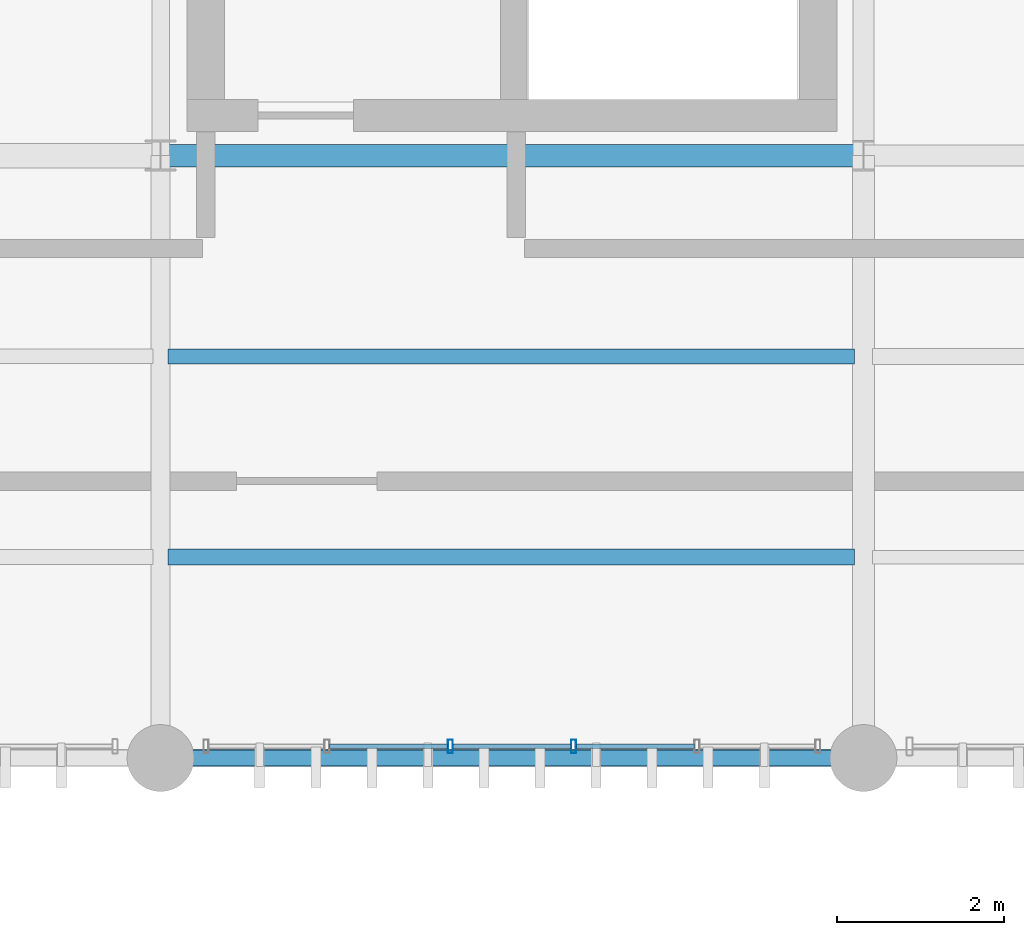
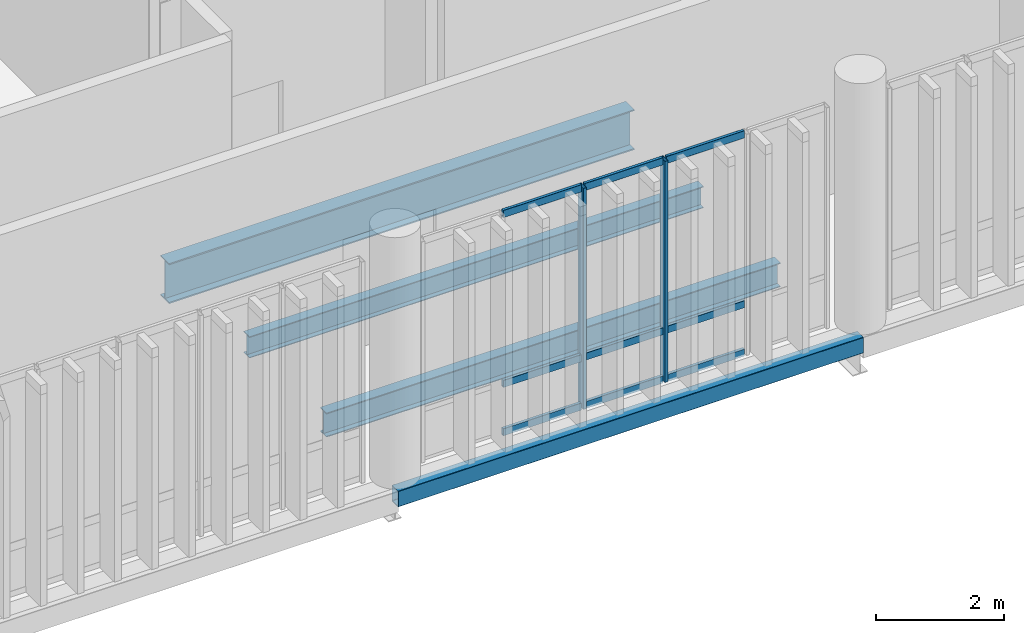
# One storey, part 38 of 94: 11 members, 4 beams, 1 element without a shape of its own.
"""IFC4 building model written with IfcOpenShell, lengths in metres."""

import ifcopenshell
import ifcopenshell.guid

model = None  # the IFC model being written
_history = None  # IfcOwnerHistory: only IFC2X3 demands one
_inside = {}  # id of a spatial element -> (the spatial element, [elements in it])
_under = {}  # id of a project, library or spatial element -> (it, [spatial elements below it])
_declared = {}  # id of a project -> (the project, [libraries it declares])
_typed = {}  # id of a type object -> (the type object, [elements of that type])
_made_of = {}  # id of a material, layer set ... -> (it, [elements and type objects made of it])


def new_model(schema):
    """Start an empty IFC model of exactly this schema.

    Asked for "IFC4X3", IfcOpenShell would pick the latest addendum, in which some entities
    have other attributes; the version numbers below select the first issue.
    IFC2X3 requires an IfcOwnerHistory on every rooted entity: one is made here for all.
    """
    global model, _history
    if schema == "IFC4X3":
        model = ifcopenshell.file(schema_version=(4, 3, 0, 0))
    else:
        model = ifcopenshell.file(schema=schema)
    _inside.clear()
    _under.clear()
    _declared.clear()
    _typed.clear()
    _made_of.clear()
    _history = None
    if model.schema == "IFC2X3":
        org = make("IfcOrganization", Name="unknown")
        user = make(
            "IfcPersonAndOrganization",
            ThePerson=make("IfcPerson", FamilyName="unknown"),
            TheOrganization=org,
        )
        app = make(
            "IfcApplication",
            ApplicationDeveloper=org,
            Version="unknown",
            ApplicationFullName="unknown",
            ApplicationIdentifier="unknown",
        )
        _history = make(
            "IfcOwnerHistory",
            OwningUser=user,
            OwningApplication=app,
            ChangeAction="ADDED",
            CreationDate=0,
        )
    return model


def make(cls, **values):
    """One entity of the class cls with the attributes given. An attribute that is None is left unset."""
    return model.create_entity(
        cls, **{name: value for name, value in values.items() if value is not None}
    )


def rooted(cls, **values):
    """An entity with a GlobalId (a new one), such as an element, a storey or a relation."""
    return make(cls, GlobalId=ifcopenshell.guid.new(), OwnerHistory=_history, **values)


def si_unit(unit_type, name, prefix=None):
    """IfcSIUnit, for example si_unit("LENGTHUNIT", "METRE", prefix="MILLI")."""
    return make("IfcSIUnit", UnitType=unit_type, Prefix=prefix, Name=name)


def assignment(units):
    """IfcUnitAssignment: the units of a project."""
    return None if units is None else make("IfcUnitAssignment", Units=units)


def point(xyz):
    """IfcCartesianPoint."""
    return None if xyz is None else make("IfcCartesianPoint", Coordinates=xyz)


def direction(xyz):
    """IfcDirection."""
    return None if xyz is None else make("IfcDirection", DirectionRatios=xyz)


def frame(location, z_axis=None, x_axis=None):
    """IfcAxis2Placement3D, a coordinate frame: its origin and axes. An axis left out is left unset."""
    return make(
        "IfcAxis2Placement3D",
        Location=point(location),
        Axis=direction(z_axis),
        RefDirection=direction(x_axis),
    )


def frame_2d(location, x_axis=None):
    """IfcAxis2Placement2D, a coordinate frame in the plane: its origin and x axis."""
    return make(
        "IfcAxis2Placement2D", Location=point(location), RefDirection=direction(x_axis)
    )


def origin_with_axes():
    """The frame at (0, 0, 0) with the z axis (0, 0, 1) and the x axis (1, 0, 0) written out."""
    return frame((0.0, 0.0, 0.0), z_axis=(0.0, 0.0, 1.0), x_axis=(1.0, 0.0, 0.0))


def origin_2d_with_axis():
    """The frame at (0, 0) in the plane with the x axis (1, 0) written out."""
    return frame_2d((0.0, 0.0), x_axis=(1.0, 0.0))


def place(relative_to, where):
    """IfcLocalPlacement: puts the frame where relative to a parent placement (None: the world)."""
    return make(
        "IfcLocalPlacement", PlacementRelTo=relative_to, RelativePlacement=where
    )


def context(
    kind, dimensions, precision=None, world=None, true_north=None, identifier=None
):
    """IfcGeometricRepresentationContext, for example the 3D "Model" context."""
    return make(
        "IfcGeometricRepresentationContext",
        ContextIdentifier=identifier,
        ContextType=kind,
        CoordinateSpaceDimension=dimensions,
        Precision=precision,
        WorldCoordinateSystem=world,
        TrueNorth=true_north,
    )


def subcontext(parent, identifier, kind, view, scale=None):
    """IfcGeometricRepresentationSubContext, for example "Body" below "Model"."""
    return make(
        "IfcGeometricRepresentationSubContext",
        ContextIdentifier=identifier,
        ContextType=kind,
        ParentContext=parent,
        TargetScale=scale,
        TargetView=view,
    )


def project(units=None, contexts=None):
    """IfcProject with its units and contexts."""
    return rooted(
        "IfcProject",
        Name="project",
        RepresentationContexts=contexts,
        UnitsInContext=assignment(units),
    )


def spatial(cls, under=None, at=None, **own):
    """A site, building, storey or space (cls), placed at a placement, below another one or the project."""
    s = rooted(cls, ObjectPlacement=at, **own)
    if under is not None:
        _under.setdefault(under.id(), (under, []))[1].append(s)
    return s


def profile(cls, at=None, kind="AREA", **sizes):
    """A parametric profile (cls). Its sizes go by their IFC names, for example OverallWidth=200.0."""
    return make(cls, ProfileType=kind, Position=at, **sizes)


def hollow_rectangle(**sizes):
    """IfcRectangleHollowProfileDef."""
    return profile("IfcRectangleHollowProfileDef", **sizes)


def i_section(**sizes):
    """IfcIShapeProfileDef."""
    return profile("IfcIShapeProfileDef", **sizes)


def extrude(swept, where, along, depth):
    """IfcExtrudedAreaSolid: the profile swept, set in the frame where, extruded along a direction by depth."""
    return make(
        "IfcExtrudedAreaSolid",
        SweptArea=swept,
        Position=where,
        ExtrudedDirection=direction(along),
        Depth=depth,
    )


def shape(context_of_items, identifier, shape_type, items):
    """IfcShapeRepresentation: the items that make up one representation, for example the "Body"."""
    return make(
        "IfcShapeRepresentation",
        ContextOfItems=context_of_items,
        RepresentationIdentifier=identifier,
        RepresentationType=shape_type,
        Items=items,
    )


def material(Name=None, Category=None):
    """IfcMaterial."""
    return make("IfcMaterial", Name=Name, Category=Category)


def material_profile(
    of_material, cross_section, Name=None, Category=None, Priority=None
):
    """IfcMaterialProfile: a cross section and its material."""
    return make(
        "IfcMaterialProfile",
        Name=Name,
        Material=of_material,
        Profile=cross_section,
        Priority=Priority,
        Category=Category,
    )


def profile_set(profiles, Name=None, composite=None):
    """IfcMaterialProfileSet."""
    return make(
        "IfcMaterialProfileSet",
        Name=Name,
        MaterialProfiles=profiles,
        CompositeProfile=composite,
    )


def made_of(thing, what):
    """Note that an element or type object is made of a material, layer set ...; save() writes the relation."""
    if what is not None:
        _made_of.setdefault(what.id(), (what, []))[1].append(thing)
    return thing


def type_object(cls, material=None, **own):
    """A type object (cls), such as IfcWallType, which elements share."""
    return made_of(rooted(cls, **own), material)


def element(
    cls,
    number,
    at=None,
    inside=None,
    cuts=None,
    type_object=None,
    material=None,
    context=None,
    identifier="Body",
    shape_type=None,
    held_by="IfcProductDefinitionShape",
    body=None,
    shapes=None,
    **own,
):
    """One element of the class cls, such as IfcWall. Its Tag is "e" and its number.

    at: its placement. inside: the storey or other place that contains it. cuts: it is an
    opening in that element (IfcRelVoidsElement). A single representation is given by context,
    identifier, shape_type and body (its items); several are given by shapes. held_by: the class
    of the entity that holds the representations. save() writes the other relations.
    """
    e = rooted(cls, Tag="e%d" % number, ObjectPlacement=at, **own)
    if body is not None:
        shapes = [shape(context, identifier, shape_type, body)]
    if shapes is not None:
        e.Representation = make(held_by, Representations=shapes)
    if inside is not None:
        _inside.setdefault(inside.id(), (inside, []))[1].append(e)
    if cuts is not None:
        rooted(
            "IfcRelVoidsElement", RelatingBuildingElement=cuts, RelatedOpeningElement=e
        )
    if type_object is not None:
        _typed.setdefault(type_object.id(), (type_object, []))[1].append(e)
    return made_of(e, material)


def aggregate(whole, parts):
    """IfcRelAggregates: a whole, such as a stair, and the parts it consists of."""
    return rooted("IfcRelAggregates", RelatingObject=whole, RelatedObjects=parts)


def save(model, path):
    """Write the relations noted so far, then the file.

    IfcRelAggregates (storeys below a building ...), IfcRelContainedInSpatialStructure (elements
    in a storey), IfcRelDefinesByType, IfcRelAssociatesMaterial and IfcRelDeclares: one each for
    every whole, place, type object, material and project.
    """
    for whole, parts in _under.values():
        aggregate(whole, parts)
    for where, things in _inside.values():
        rooted(
            "IfcRelContainedInSpatialStructure",
            RelatedElements=things,
            RelatingStructure=where,
        )
    for kind, things in _typed.values():
        rooted("IfcRelDefinesByType", RelatedObjects=things, RelatingType=kind)
    for what, things in _made_of.values():
        rooted("IfcRelAssociatesMaterial", RelatedObjects=things, RelatingMaterial=what)
    for by, libraries in _declared.values():
        rooted("IfcRelDeclares", RelatingContext=by, RelatedDefinitions=libraries)
    model.write(path)


model = new_model("IFC4")

# Units and contexts
model_context = context("Model", 3, precision=1e-05, world=origin_with_axes(), true_north=direction((0.0, 1.0)))
body_context = subcontext(model_context, "Body", "Model", "MODEL_VIEW")
ifc_project = project(units=[si_unit("LENGTHUNIT", "METRE"), si_unit("AREAUNIT", "SQUARE_METRE"), si_unit("VOLUMEUNIT", "CUBIC_METRE"), si_unit("PLANEANGLEUNIT", "RADIAN"), si_unit("MASSUNIT", "GRAM", prefix="KILO"), si_unit("THERMODYNAMICTEMPERATUREUNIT", "KELVIN")], contexts=[model_context])

# Site, building, storey
site_placement = place(None, origin_with_axes())
site = spatial("IfcSite", under=ifc_project, at=site_placement, CompositionType="ELEMENT")
building_placement = place(site_placement, origin_with_axes())
building = spatial("IfcBuilding", under=site, at=building_placement, Name="Montbau Bow Law Courts", CompositionType="ELEMENT")
storey_placement = place(building_placement, frame((0.0, 0.0, 15.6), z_axis=(0.0, 0.0, 1.0), x_axis=(1.0, 0.0, 0.0)))
storey = spatial("IfcBuildingStorey", under=building, at=storey_placement, Name="L03", CompositionType="ELEMENT", Elevation=15.6)

# Beams
ifc_material_1 = material(Name="Steel CSA G40.21 Grade 350W (350 MPa)", Category="steel")
ifc_material_profile_1 = material_profile(ifc_material_1, i_section(OverallWidth=0.267, OverallDepth=0.766, WebThickness=0.0149, FlangeThickness=0.0236, at=origin_2d_with_axis()), Name="W760X185", Category="Main", Priority=0)
ifc_profile_set_1 = profile_set([ifc_material_profile_1], Name="Steel CSA G40.21 Grade 350W (350 MPa)")
beam_type_1 = type_object("IfcBeamType", Name="B-FLR-03", PredefinedType="BEAM", material=ifc_profile_set_1)
beam_1_placement = place(None, frame((80.4, 46.2, 14.957), z_axis=(1.0, 0.0, 0.0), x_axis=(0.0, 1.0, 0.0)))
element("IfcBeam", 1, at=beam_1_placement, inside=storey, type_object=beam_type_1, Name="BM-L03-S0884:bm2_0887", PredefinedType="BEAM", context=body_context, shape_type="SweptSolid", body=[
    extrude(i_section(OverallWidth=0.267, OverallDepth=0.766, WebThickness=0.0149, FlangeThickness=0.0236, at=origin_2d_with_axis()), origin_with_axes(), (0.0, 0.0, 1.0), 8.4),
])
ifc_material_profile_2 = material_profile(ifc_material_1, i_section(OverallWidth=0.191, OverallDepth=0.46, WebThickness=0.0099, FlangeThickness=0.016, at=origin_2d_with_axis()), Name="W460X82", Category="Main", Priority=0)
ifc_profile_set_2 = profile_set([ifc_material_profile_2], Name="Steel CSA G40.21 Grade 350W (350 MPa)")
beam_type_2 = type_object("IfcBeamType", Name="B-JST-01", PredefinedType="JOIST", material=ifc_profile_set_2)
beam_2_placement = place(None, frame((80.491, 41.4, 15.11), z_axis=(1.0, 0.0, 0.0), x_axis=(0.0, 1.0, 0.0)))
element("IfcBeam", 2, at=beam_2_placement, inside=storey, type_object=beam_type_2, Name="JST-L03-S0468:jst2_0468", PredefinedType="JOIST", context=body_context, shape_type="SweptSolid", body=[
    extrude(i_section(OverallWidth=0.191, OverallDepth=0.46, WebThickness=0.0099, FlangeThickness=0.016, at=origin_2d_with_axis()), origin_with_axes(), (0.0, 0.0, 1.0), 8.2),
])
ifc_material_profile_3 = material_profile(ifc_material_1, i_section(OverallWidth=0.179, OverallDepth=0.41, WebThickness=0.0088, FlangeThickness=0.0144, at=origin_2d_with_axis()), Name="W410X67", Category="Main", Priority=0)
ifc_profile_set_3 = profile_set([ifc_material_profile_3], Name="Steel CSA G40.21 Grade 350W (350 MPa)")
beam_type_3 = type_object("IfcBeamType", Name="B-JST-02", PredefinedType="JOIST", material=ifc_profile_set_3)
beam_3_placement = place(None, frame((80.491, 43.8, 15.135), z_axis=(1.0, 0.0, 0.0), x_axis=(0.0, 1.0, 0.0)))
element("IfcBeam", 3, at=beam_3_placement, inside=storey, type_object=beam_type_3, Name="JST-L03-S0469:jst2_0469", PredefinedType="JOIST", context=body_context, shape_type="SweptSolid", body=[
    extrude(i_section(OverallWidth=0.179, OverallDepth=0.41, WebThickness=0.0088, FlangeThickness=0.0144, at=origin_2d_with_axis()), origin_with_axes(), (0.0, 0.0, 1.0), 8.2),
])
ifc_material_2 = material(Name="Steel CSA G40.21 Grade 350WT (350 MPa)", Category="steel")
ifc_material_profile_4 = material_profile(ifc_material_2, hollow_rectangle(XDim=0.203, YDim=0.305, WallThickness=0.0127, InnerFilletRadius=0.0254, OuterFilletRadius=0.0127, at=origin_2d_with_axis()), Name="HSS305X203X13", Category="Main", Priority=0)
ifc_profile_set_4 = profile_set([ifc_material_profile_4], Name="Steel CSA G40.21 Grade 350WT (350 MPa)")
beam_type_4 = type_object("IfcBeamType", Name="B-SPN-02", PredefinedType="SPANDREL", material=ifc_profile_set_4)
beam_4_placement = place(None, frame((80.4, 39.0, 15.188), z_axis=(1.0, 0.0, 0.0), x_axis=(0.0, 1.0, 0.0)))
element("IfcBeam", 4, at=beam_4_placement, inside=storey, type_object=beam_type_4, Name="SPN-L03-S0878:bm2_0881", PredefinedType="SPANDREL", context=body_context, shape_type="SweptSolid", body=[
    extrude(hollow_rectangle(XDim=0.203, YDim=0.305, WallThickness=0.0127, InnerFilletRadius=0.0254, OuterFilletRadius=0.0127, at=origin_2d_with_axis()), origin_with_axes(), (0.0, 0.0, 1.0), 8.4),
])

# Curtain wall, members
ifc_material_3 = material(Name="Thermally Broken Extruded Aluminium AA 6063-T6", Category="aluminium")
curtain_wall_type = type_object("IfcCurtainWallType", Name="CW-CRM-01", PredefinedType="NOTDEFINED", material=ifc_material_3)
curtain_wall_placement = place(None, frame((80.915, 39.14, 15.6), z_axis=(0.0, 0.0, 1.0), x_axis=(1.0, 0.0, 0.0)))
curtain_wall = element("IfcCurtainWall", 5, at=curtain_wall_placement, inside=storey, type_object=curtain_wall_type, Name="CW-L03-179:cw_0179", PredefinedType="NOTDEFINED")
ifc_material_profile_5 = material_profile(ifc_material_3, hollow_rectangle(XDim=0.06, YDim=0.16, WallThickness=0.004, InnerFilletRadius=0.008, OuterFilletRadius=0.004, at=origin_2d_with_axis()), Name="CWM-160X60", Category="Main", Priority=0)
ifc_profile_set_5 = profile_set([ifc_material_profile_5], Name="Thermally Broken Extruded Aluminium AA 6063-T6")
member_type_1 = type_object("IfcMemberType", Name="M-MUL-03", PredefinedType="MULLION", material=ifc_profile_set_5)
member_1_placement = place(None, frame((83.863, 39.14, 15.6), z_axis=(0.0, 0.0, 1.0), x_axis=(1.0, 0.0, 0.0)))
member_1 = element("IfcMember", 6, at=member_1_placement, type_object=member_type_1, Name="CW-L03-179-M03:cw_0179_M03", PredefinedType="MULLION", context=body_context, shape_type="SweptSolid", body=[
    extrude(hollow_rectangle(XDim=0.06, YDim=0.16, WallThickness=0.004, InnerFilletRadius=0.008, OuterFilletRadius=0.004, at=origin_2d_with_axis()), origin_with_axes(), (0.0, 0.0, 1.0), 4.22),
])
member_2_placement = place(None, frame((85.337, 39.14, 15.6), z_axis=(0.0, 0.0, 1.0), x_axis=(1.0, 0.0, 0.0)))
member_2 = element("IfcMember", 7, at=member_2_placement, type_object=member_type_1, Name="CW-L03-179-M04:cw_0179_M04", PredefinedType="MULLION", context=body_context, shape_type="SweptSolid", body=[
    extrude(hollow_rectangle(XDim=0.06, YDim=0.16, WallThickness=0.004, InnerFilletRadius=0.008, OuterFilletRadius=0.004, at=origin_2d_with_axis()), origin_with_axes(), (0.0, 0.0, 1.0), 4.22),
])
ifc_material_profile_6 = material_profile(ifc_material_3, hollow_rectangle(XDim=0.055, YDim=0.14, WallThickness=0.004, InnerFilletRadius=0.008, OuterFilletRadius=0.004, at=origin_2d_with_axis()), Name="CWT-140X55", Category="Main", Priority=0)
ifc_profile_set_6 = profile_set([ifc_material_profile_6], Name="Thermally Broken Extruded Aluminium AA 6063-T6")
member_type_2 = type_object("IfcMemberType", Name="M-TRN-02", PredefinedType="USERDEFINED", material=ifc_profile_set_6)
member_3_placement = place(None, frame((82.421, 39.14, 15.627), z_axis=(1.0, 0.0, 0.0), x_axis=(0.0, 1.0, 0.0)))
member_3 = element("IfcMember", 8, at=member_3_placement, type_object=member_type_2, Name="CW-L03-179-T02-1:cw_0179_T02_1", ObjectType="TRANSOM", PredefinedType="USERDEFINED", context=body_context, shape_type="SweptSolid", body=[
    extrude(hollow_rectangle(XDim=0.055, YDim=0.14, WallThickness=0.004, InnerFilletRadius=0.008, OuterFilletRadius=0.004, at=origin_2d_with_axis()), origin_with_axes(), (0.0, 0.0, 1.0), 1.41),
])
member_4_placement = place(None, frame((82.421, 39.14, 16.55), z_axis=(1.0, 0.0, 0.0), x_axis=(0.0, 1.0, 0.0)))
member_4 = element("IfcMember", 9, at=member_4_placement, type_object=member_type_2, Name="CW-L03-179-T02-2:cw_0179_T02_2", ObjectType="TRANSOM", PredefinedType="USERDEFINED", context=body_context, shape_type="SweptSolid", body=[
    extrude(hollow_rectangle(XDim=0.055, YDim=0.14, WallThickness=0.004, InnerFilletRadius=0.008, OuterFilletRadius=0.004, at=origin_2d_with_axis()), origin_with_axes(), (0.0, 0.0, 1.0), 1.41),
])
member_5_placement = place(None, frame((82.421, 39.14, 19.793), z_axis=(1.0, 0.0, 0.0), x_axis=(0.0, 1.0, 0.0)))
member_5 = element("IfcMember", 10, at=member_5_placement, type_object=member_type_2, Name="CW-L03-179-T02-3:cw_0179_T02_3", ObjectType="TRANSOM", PredefinedType="USERDEFINED", context=body_context, shape_type="SweptSolid", body=[
    extrude(hollow_rectangle(XDim=0.055, YDim=0.14, WallThickness=0.004, InnerFilletRadius=0.008, OuterFilletRadius=0.004, at=origin_2d_with_axis()), origin_with_axes(), (0.0, 0.0, 1.0), 1.41),
])
member_6_placement = place(None, frame((83.895, 39.14, 15.627), z_axis=(1.0, 0.0, 0.0), x_axis=(0.0, 1.0, 0.0)))
member_6 = element("IfcMember", 11, at=member_6_placement, type_object=member_type_2, Name="CW-L03-179-T03-1:cw_0179_T03_1", ObjectType="TRANSOM", PredefinedType="USERDEFINED", context=body_context, shape_type="SweptSolid", body=[
    extrude(hollow_rectangle(XDim=0.055, YDim=0.14, WallThickness=0.004, InnerFilletRadius=0.008, OuterFilletRadius=0.004, at=origin_2d_with_axis()), origin_with_axes(), (0.0, 0.0, 1.0), 1.41),
])
member_7_placement = place(None, frame((83.895, 39.14, 16.55), z_axis=(1.0, 0.0, 0.0), x_axis=(0.0, 1.0, 0.0)))
member_7 = element("IfcMember", 12, at=member_7_placement, type_object=member_type_2, Name="CW-L03-179-T03-2:cw_0179_T03_2", ObjectType="TRANSOM", PredefinedType="USERDEFINED", context=body_context, shape_type="SweptSolid", body=[
    extrude(hollow_rectangle(XDim=0.055, YDim=0.14, WallThickness=0.004, InnerFilletRadius=0.008, OuterFilletRadius=0.004, at=origin_2d_with_axis()), origin_with_axes(), (0.0, 0.0, 1.0), 1.41),
])
member_8_placement = place(None, frame((83.895, 39.14, 19.793), z_axis=(1.0, 0.0, 0.0), x_axis=(0.0, 1.0, 0.0)))
member_8 = element("IfcMember", 13, at=member_8_placement, type_object=member_type_2, Name="CW-L03-179-T03-3:cw_0179_T03_3", ObjectType="TRANSOM", PredefinedType="USERDEFINED", context=body_context, shape_type="SweptSolid", body=[
    extrude(hollow_rectangle(XDim=0.055, YDim=0.14, WallThickness=0.004, InnerFilletRadius=0.008, OuterFilletRadius=0.004, at=origin_2d_with_axis()), origin_with_axes(), (0.0, 0.0, 1.0), 1.41),
])
member_9_placement = place(None, frame((85.369, 39.14, 15.627), z_axis=(1.0, 0.0, 0.0), x_axis=(0.0, 1.0, 0.0)))
member_9 = element("IfcMember", 14, at=member_9_placement, type_object=member_type_2, Name="CW-L03-179-T04-1:cw_0179_T04_1", ObjectType="TRANSOM", PredefinedType="USERDEFINED", context=body_context, shape_type="SweptSolid", body=[
    extrude(hollow_rectangle(XDim=0.055, YDim=0.14, WallThickness=0.004, InnerFilletRadius=0.008, OuterFilletRadius=0.004, at=origin_2d_with_axis()), origin_with_axes(), (0.0, 0.0, 1.0), 1.41),
])
member_10_placement = place(None, frame((85.369, 39.14, 16.55), z_axis=(1.0, 0.0, 0.0), x_axis=(0.0, 1.0, 0.0)))
member_10 = element("IfcMember", 15, at=member_10_placement, type_object=member_type_2, Name="CW-L03-179-T04-2:cw_0179_T04_2", ObjectType="TRANSOM", PredefinedType="USERDEFINED", context=body_context, shape_type="SweptSolid", body=[
    extrude(hollow_rectangle(XDim=0.055, YDim=0.14, WallThickness=0.004, InnerFilletRadius=0.008, OuterFilletRadius=0.004, at=origin_2d_with_axis()), origin_with_axes(), (0.0, 0.0, 1.0), 1.41),
])
member_11_placement = place(None, frame((85.369, 39.14, 19.793), z_axis=(1.0, 0.0, 0.0), x_axis=(0.0, 1.0, 0.0)))
member_11 = element("IfcMember", 16, at=member_11_placement, type_object=member_type_2, Name="CW-L03-179-T04-3:cw_0179_T04_3", ObjectType="TRANSOM", PredefinedType="USERDEFINED", context=body_context, shape_type="SweptSolid", body=[
    extrude(hollow_rectangle(XDim=0.055, YDim=0.14, WallThickness=0.004, InnerFilletRadius=0.008, OuterFilletRadius=0.004, at=origin_2d_with_axis()), origin_with_axes(), (0.0, 0.0, 1.0), 1.41),
])
aggregate(curtain_wall, [member_1, member_2, member_3, member_4, member_5, member_6, member_7, member_8, member_9, member_10, member_11])

save(model, "model.ifc")
